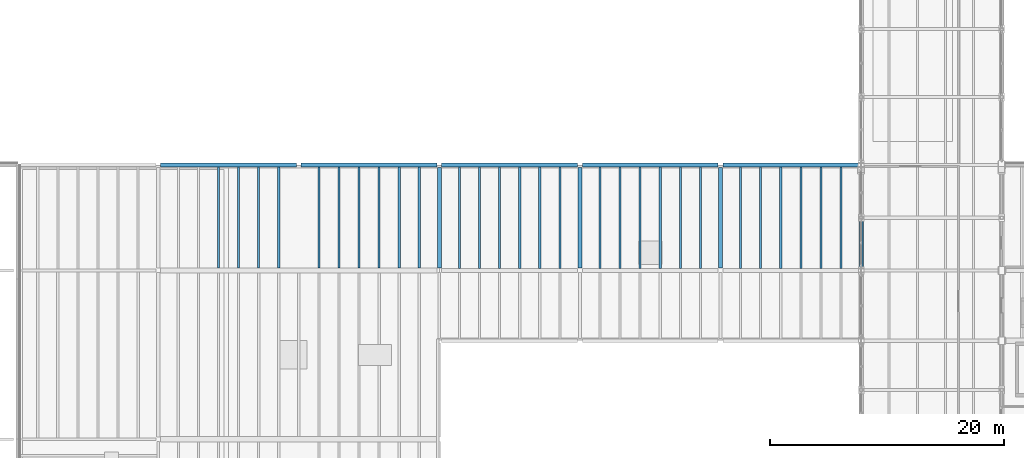
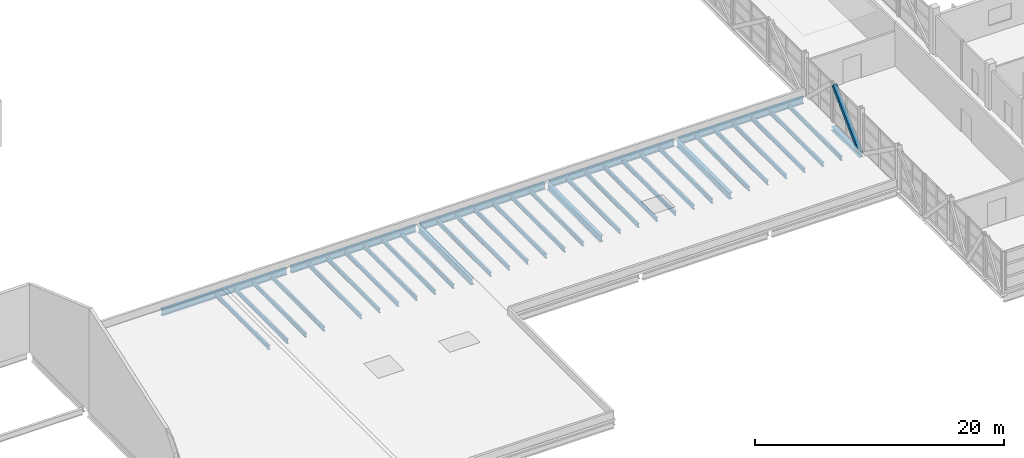
# One storey, part 12 of 63: 37 beams, 1 member.
"""IFC4 building model written with IfcOpenShell, lengths in metres."""

from ifc_helpers import new_model, si_unit, direction, frame, origin, origin_2d, place, context, subcontext, project, spatial, hollow_rectangle, i_section, extrude, material, material_profile, profile_set, type_object, element, save


model = new_model("IFC4")

# Units and contexts
model_context = context("Model", 3, precision=1e-05, world=origin(), true_north=direction((0.0, 1.0)))
body_context = subcontext(model_context, "Body", "Model", "MODEL_VIEW")
ifc_project = project(units=[si_unit("LENGTHUNIT", "METRE"), si_unit("AREAUNIT", "SQUARE_METRE"), si_unit("VOLUMEUNIT", "CUBIC_METRE"), si_unit("PLANEANGLEUNIT", "RADIAN"), si_unit("MASSUNIT", "GRAM", prefix="KILO")], contexts=[model_context])

# Site, building, storey
site_placement = place(None, origin())
site = spatial("IfcSite", under=ifc_project, at=site_placement, CompositionType="ELEMENT")
building_placement = place(site_placement, origin())
building = spatial("IfcBuilding", under=site, at=building_placement, Name="Kelmvaro Bay Concert Hall", CompositionType="ELEMENT")
storey_placement = place(building_placement, frame((0.0, 0.0, 13.800048828125)))
storey = spatial("IfcBuildingStorey", under=building, at=storey_placement, Name="L03", CompositionType="ELEMENT", Elevation=13.800048828125)

# Member
ifc_material_1 = material(Name="Steel ASTM A500 Grade C", Category="steel")
ifc_material_profile_1 = material_profile(ifc_material_1, hollow_rectangle(XDim=0.35009765625, YDim=0.35009765625, WallThickness=0.01611328125, at=origin_2d()), Name="HSS350X350X16")
ifc_profile_set_1 = profile_set([ifc_material_profile_1], Name="Steel ASTM A500 Grade C")
member_type = type_object("IfcMemberType", Name="Bridge Standard Web Diagonal HSS350x350x16", PredefinedType="BRACE", material=ifc_profile_set_1)
member_placement = place(storey_placement, frame((120.0, 30.1572265625, -0.293212890625), z_axis=(0.0, 0.716300803079, 0.697791630437), x_axis=(-1.0, 0.0, 0.0)))
element("IfcMember", 1, at=member_placement, inside=storey, type_object=member_type, Name="Bridge Truss W Web Diagonal 07", PredefinedType="BRACE", context=body_context, shape_type="SweptSolid", body=[
    extrude(hollow_rectangle(XDim=0.35009765625, YDim=0.35009765625, WallThickness=0.01611328125, at=origin_2d()), origin(), (0.0, 0.0, 1.0), 5.84326171875),
])

# Beams
ifc_material_2 = material(Name="Steel ASTM A992 Grade 50", Category="steel")
ifc_material_profile_2 = material_profile(ifc_material_2, i_section(OverallWidth=0.39892578125, OverallDepth=0.385986328125, WebThickness=0.02099609375, FlangeThickness=0.033203125, at=origin_2d()), Name="W14X176")
ifc_profile_set_2 = profile_set([ifc_material_profile_2], Name="Steel ASTM A992 Grade 50")
beam_type_1 = type_object("IfcBeamType", Name="Bridge Truss Bottom Chord W14x176", PredefinedType="BEAM", material=ifc_profile_set_2)
beam_1_placement = place(storey_placement, frame((120.0, 30.0, -0.52294921875), z_axis=(0.0, 1.0, 0.0), x_axis=(-1.0, 0.0, 0.0)))
element("IfcBeam", 2, at=beam_1_placement, inside=storey, type_object=beam_type_1, Name="Bridge Truss W Bottom Chord 07", PredefinedType="BEAM", context=body_context, shape_type="SweptSolid", body=[
    extrude(i_section(OverallWidth=0.39892578125, OverallDepth=0.385986328125, WebThickness=0.02099609375, FlangeThickness=0.033203125, at=origin_2d()), origin(), (0.0, 0.0, 1.0), 4.5),
])
ifc_material_3 = material(Name="Steel ASTM A992 Grade 50", Category="steel")
ifc_material_profile_3 = material_profile(ifc_material_3, i_section(OverallWidth=0.323974609375, OverallDepth=0.611083984375, WebThickness=0.0126953125, FlangeThickness=0.01904296875, at=origin_2d()), Name="W24X104")
ifc_profile_set_3 = profile_set([ifc_material_profile_3], Name="Steel ASTM A992 Grade 50")
beam_type_2 = type_object("IfcBeamType", Name="Foyer Frame Girder W24x104", PredefinedType="BEAM", material=ifc_profile_set_3)
for number, where, z_axis, x_axis, name in (
    (3, (60.199462890625, 39.0, -0.435546875), (1.0, 0.0, 0.0), (0.0, 1.0, 0.0), "L03 Girder BM-L03-EW-1362"),
    (4, (72.199462890625, 39.0, -0.435546875), (1.0, 0.0, 0.0), (0.0, 1.0, 0.0), "L03 Girder BM-L03-EW-1363"),
):
    element("IfcBeam", number, at=place(storey_placement, frame(where, z_axis=z_axis, x_axis=x_axis)), inside=storey, type_object=beam_type_2, Name=name, PredefinedType="BEAM", context=body_context, shape_type="SweptSolid", body=[
        extrude(i_section(OverallWidth=0.323974609375, OverallDepth=0.611083984375, WebThickness=0.0126953125, FlangeThickness=0.01904296875, at=origin_2d()), origin(), (0.0, 0.0, 1.0), 11.60107421875),
    ])
beam_2_placement = place(storey_placement, frame((84.199462890625, 39.0, -0.435546875), z_axis=(1.0, 0.0, 0.0), x_axis=(0.0, 1.0, 0.0)))
element("IfcBeam", 5, at=beam_2_placement, inside=storey, type_object=beam_type_2, Name="L03 Girder BM-L03-EW-1364", PredefinedType="BEAM", context=body_context, shape_type="SweptSolid", body=[
    extrude(i_section(OverallWidth=0.323974609375, OverallDepth=0.611083984375, WebThickness=0.0126953125, FlangeThickness=0.01904296875, at=origin_2d()), origin(), (0.0, 0.0, 1.0), 11.6025390625),
])
beam_3_placement = place(storey_placement, frame((96.197998046875, 39.0, -0.435546875), z_axis=(1.0, 0.0, 0.0), x_axis=(0.0, 1.0, 0.0)))
element("IfcBeam", 6, at=beam_3_placement, inside=storey, type_object=beam_type_2, Name="L03 Girder BM-L03-EW-1365", PredefinedType="BEAM", context=body_context, shape_type="SweptSolid", body=[
    extrude(i_section(OverallWidth=0.323974609375, OverallDepth=0.611083984375, WebThickness=0.0126953125, FlangeThickness=0.01904296875, at=origin_2d()), origin(), (0.0, 0.0, 1.0), 11.60400390625),
])
beam_4_placement = place(storey_placement, frame((108.197998046875, 39.0, -0.435546875), z_axis=(1.0, 0.0, 0.0), x_axis=(0.0, 1.0, 0.0)))
element("IfcBeam", 7, at=beam_4_placement, inside=storey, type_object=beam_type_2, Name="L03 Girder BM-L03-EW-1366", PredefinedType="BEAM", context=body_context, shape_type="SweptSolid", body=[
    extrude(i_section(OverallWidth=0.323974609375, OverallDepth=0.611083984375, WebThickness=0.0126953125, FlangeThickness=0.01904296875, at=origin_2d()), origin(), (0.0, 0.0, 1.0), 11.6015625),
])
beam_5_placement = place(storey_placement, frame((84.0, 30.193115234375, -0.435546875), z_axis=(0.0, 1.0, 0.0), x_axis=(-1.0, 0.0, 0.0)))
element("IfcBeam", 8, at=beam_5_placement, inside=storey, type_object=beam_type_2, Name="L03 Girder BM-L03-NS-1447", PredefinedType="BEAM", context=body_context, shape_type="SweptSolid", body=[
    extrude(i_section(OverallWidth=0.323974609375, OverallDepth=0.611083984375, WebThickness=0.0126953125, FlangeThickness=0.01904296875, at=origin_2d()), origin(), (0.0, 0.0, 1.0), 8.61376953125),
])
for number, where, z_axis, x_axis, name in (
    (9, (96.0, 30.1904296875, -0.435546875), (0.0, 1.0, 0.0), (-1.0, 0.0, 0.0), "L03 Girder BM-L03-NS-1449"),
    (10, (108.0, 30.1904296875, -0.435546875), (0.0, 1.0, 0.0), (-1.0, 0.0, 0.0), "L03 Girder BM-L03-NS-1451"),
):
    element("IfcBeam", number, at=place(storey_placement, frame(where, z_axis=z_axis, x_axis=x_axis)), inside=storey, type_object=beam_type_2, Name=name, PredefinedType="BEAM", context=body_context, shape_type="SweptSolid", body=[
        extrude(i_section(OverallWidth=0.323974609375, OverallDepth=0.611083984375, WebThickness=0.0126953125, FlangeThickness=0.01904296875, at=origin_2d()), origin(), (0.0, 0.0, 1.0), 8.619140625),
    ])
ifc_material_4 = material(Name="Steel ASTM A992 Grade 50", Category="steel")
ifc_material_profile_4 = material_profile(ifc_material_4, i_section(OverallWidth=0.179931640625, OverallDepth=0.4140625, WebThickness=0.009765625, FlangeThickness=0.01611328125, at=origin_2d()), Name="W16X50")
ifc_profile_set_4 = profile_set([ifc_material_profile_4], Name="Steel ASTM A992 Grade 50")
beam_type_3 = type_object("IfcBeamType", Name="Terrace Composite Joist W16x50", PredefinedType="JOIST", material=ifc_profile_set_4)
for number, where, z_axis, x_axis, name in (
    (11, (65.142822265625, 30.22509765625, -0.337158203125), (0.0, 1.0, 0.0), (-1.0, 0.0, 0.0), "L03 Floor Joist JST-L03-1545"),
    (12, (66.857177734375, 30.22509765625, -0.337158203125), (0.0, 1.0, 0.0), (-1.0, 0.0, 0.0), "L03 Floor Joist JST-L03-1546"),
    (13, (68.5712890625, 30.22509765625, -0.337158203125), (0.0, 1.0, 0.0), (-1.0, 0.0, 0.0), "L03 Floor Joist JST-L03-1547"),
    (14, (70.28564453125, 30.22509765625, -0.337158203125), (0.0, 1.0, 0.0), (-1.0, 0.0, 0.0), "L03 Floor Joist JST-L03-1548"),
    (15, (73.71435546875, 30.22509765625, -0.337158203125), (0.0, 1.0, 0.0), (-1.0, 0.0, 0.0), "L03 Floor Joist JST-L03-1549"),
    (16, (75.4287109375, 30.22509765625, -0.337158203125), (0.0, 1.0, 0.0), (-1.0, 0.0, 0.0), "L03 Floor Joist JST-L03-1550"),
    (17, (77.142822265625, 30.22509765625, -0.337158203125), (0.0, 1.0, 0.0), (-1.0, 0.0, 0.0), "L03 Floor Joist JST-L03-1551"),
    (18, (78.857177734375, 30.22509765625, -0.337158203125), (0.0, 1.0, 0.0), (-1.0, 0.0, 0.0), "L03 Floor Joist JST-L03-1552"),
    (19, (80.5712890625, 30.22509765625, -0.337158203125), (0.0, 1.0, 0.0), (-1.0, 0.0, 0.0), "L03 Floor Joist JST-L03-1553"),
    (20, (82.28564453125, 30.22509765625, -0.337158203125), (0.0, 1.0, 0.0), (-1.0, 0.0, 0.0), "L03 Floor Joist JST-L03-1554"),
):
    element("IfcBeam", number, at=place(storey_placement, frame(where, z_axis=z_axis, x_axis=x_axis)), inside=storey, type_object=beam_type_3, Name=name, PredefinedType="JOIST", context=body_context, shape_type="SweptSolid", body=[
        extrude(i_section(OverallWidth=0.179931640625, OverallDepth=0.4140625, WebThickness=0.009765625, FlangeThickness=0.01611328125, at=origin_2d()), origin(), (0.0, 0.0, 1.0), 8.61279296875),
    ])
for number, where, z_axis, x_axis, name in (
    (21, (85.71435546875, 30.162109375, -0.337158203125), (0.0, 1.0, 0.0), (-1.0, 0.0, 0.0), "L03 Floor Joist JST-L03-1555"),
    (22, (87.4287109375, 30.162109375, -0.337158203125), (0.0, 1.0, 0.0), (-1.0, 0.0, 0.0), "L03 Floor Joist JST-L03-1556"),
    (23, (89.142822265625, 30.162109375, -0.337158203125), (0.0, 1.0, 0.0), (-1.0, 0.0, 0.0), "L03 Floor Joist JST-L03-1557"),
    (24, (90.857177734375, 30.162109375, -0.337158203125), (0.0, 1.0, 0.0), (-1.0, 0.0, 0.0), "L03 Floor Joist JST-L03-1558"),
    (25, (92.5712890625, 30.162109375, -0.337158203125), (0.0, 1.0, 0.0), (-1.0, 0.0, 0.0), "L03 Floor Joist JST-L03-1559"),
    (26, (94.28564453125, 30.162109375, -0.337158203125), (0.0, 1.0, 0.0), (-1.0, 0.0, 0.0), "L03 Floor Joist JST-L03-1560"),
    (27, (97.71435546875, 30.162109375, -0.337158203125), (0.0, 1.0, 0.0), (-1.0, 0.0, 0.0), "L03 Floor Joist JST-L03-1561"),
    (28, (99.4287109375, 30.162109375, -0.337158203125), (0.0, 1.0, 0.0), (-1.0, 0.0, 0.0), "L03 Floor Joist JST-L03-1562"),
    (29, (101.142822265625, 30.162109375, -0.337158203125), (0.0, 1.0, 0.0), (-1.0, 0.0, 0.0), "L03 Floor Joist JST-L03-1563"),
    (30, (102.857177734375, 30.162109375, -0.337158203125), (0.0, 1.0, 0.0), (-1.0, 0.0, 0.0), "L03 Floor Joist JST-L03-1564"),
    (31, (104.5712890625, 30.162109375, -0.337158203125), (0.0, 1.0, 0.0), (-1.0, 0.0, 0.0), "L03 Floor Joist JST-L03-1565"),
    (32, (106.28564453125, 30.162109375, -0.337158203125), (0.0, 1.0, 0.0), (-1.0, 0.0, 0.0), "L03 Floor Joist JST-L03-1566"),
    (33, (109.71435546875, 30.162109375, -0.337158203125), (0.0, 1.0, 0.0), (-1.0, 0.0, 0.0), "L03 Floor Joist JST-L03-1567"),
    (34, (111.4287109375, 30.162109375, -0.337158203125), (0.0, 1.0, 0.0), (-1.0, 0.0, 0.0), "L03 Floor Joist JST-L03-1568"),
    (35, (113.142822265625, 30.162109375, -0.337158203125), (0.0, 1.0, 0.0), (-1.0, 0.0, 0.0), "L03 Floor Joist JST-L03-1569"),
    (36, (114.857177734375, 30.162109375, -0.337158203125), (0.0, 1.0, 0.0), (-1.0, 0.0, 0.0), "L03 Floor Joist JST-L03-1570"),
    (37, (116.5712890625, 30.162109375, -0.337158203125), (0.0, 1.0, 0.0), (-1.0, 0.0, 0.0), "L03 Floor Joist JST-L03-1571"),
    (38, (118.28564453125, 30.162109375, -0.337158203125), (0.0, 1.0, 0.0), (-1.0, 0.0, 0.0), "L03 Floor Joist JST-L03-1572"),
):
    element("IfcBeam", number, at=place(storey_placement, frame(where, z_axis=z_axis, x_axis=x_axis)), inside=storey, type_object=beam_type_3, Name=name, PredefinedType="JOIST", context=body_context, shape_type="SweptSolid", body=[
        extrude(i_section(OverallWidth=0.179931640625, OverallDepth=0.4140625, WebThickness=0.009765625, FlangeThickness=0.01611328125, at=origin_2d()), origin(), (0.0, 0.0, 1.0), 8.67578125),
    ])

save(model, "model.ifc")
